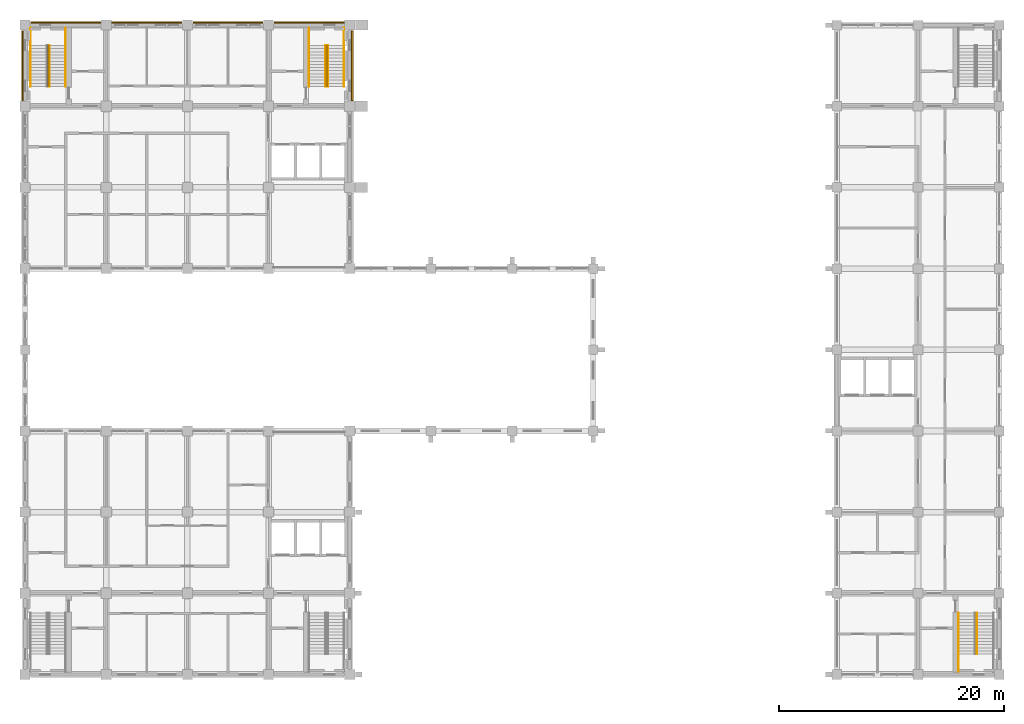
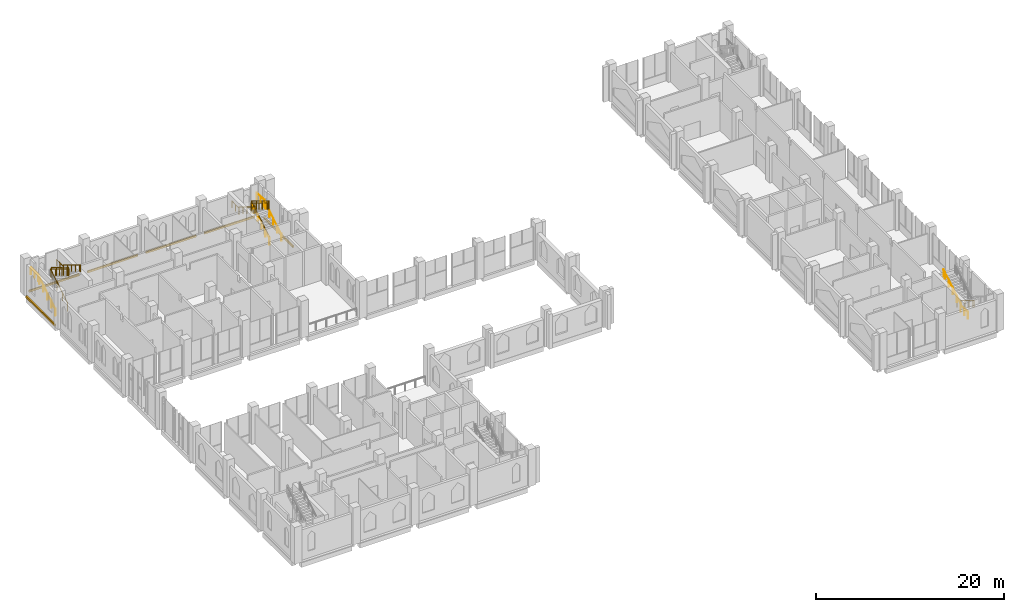
# One storey, part 39 of 40: 11 railings, 6 coverings.
"""IFC4 building model written with IfcOpenShell, lengths in metres."""

from ifc_helpers import new_model, si_unit, direction, frame, origin, origin_2d, place, context, subcontext, project, spatial, rectangle, circle, extrude, material, type_object, element, save


model = new_model("IFC4")

# Units and contexts
model_context = context("Model", 3, precision=1e-05, world=origin(), true_north=direction((0.0, 1.0)))
body_context = subcontext(model_context, "Body", "Model", "MODEL_VIEW")
ifc_project = project(units=[si_unit("LENGTHUNIT", "METRE"), si_unit("AREAUNIT", "SQUARE_METRE"), si_unit("VOLUMEUNIT", "CUBIC_METRE"), si_unit("PLANEANGLEUNIT", "RADIAN"), si_unit("MASSUNIT", "GRAM", prefix="KILO")], contexts=[model_context])

# Site, building, storey
site_placement = place(None, origin())
site = spatial("IfcSite", under=ifc_project, at=site_placement, CompositionType="ELEMENT")
building_placement = place(site_placement, origin())
building = spatial("IfcBuilding", under=site, at=building_placement, Name="Silangan Lancet Faculty of Sciences", CompositionType="ELEMENT")
storey_placement = place(building_placement, frame((0.0, 0.0, 16.800048828125)))
storey = spatial("IfcBuildingStorey", under=building, at=storey_placement, Name="L03", CompositionType="ELEMENT", Elevation=16.800048828125)

# Coverings
ifc_material_1 = material(Name="Concrete C40/50 precast", Category="concrete")
covering_type = type_object("IfcCoveringType", Name="SC1 Precast string course 250 x 150", PredefinedType="CLADDING", material=ifc_material_1)
covering_1_placement = place(storey_placement, frame((29.02490234375, 54.0, -0.25), z_axis=(0.0, 0.0, 1.0), x_axis=(1.0, 0.0, 0.0)))
element("IfcCovering", 1, at=covering_1_placement, inside=storey, type_object=covering_type, Name="SC-L03-E-NT-02", PredefinedType="CLADDING", context=body_context, shape_type="SweptSolid", body=[
    extrude(rectangle(XDim=0.14990234375, YDim=6.199951171875, at=origin_2d()), origin(), (0.0, 0.0, 1.0), 0.25),
])
for number, where, z_axis, x_axis, name in (
    (2, (25.199951171875, 57.824951171875, -0.25), (0.0, 0.0, 1.0), (1.0, 0.0, 0.0), "SC-L03-N-NT-00"),
    (3, (18.0, 57.824951171875, -0.25), (0.0, 0.0, 1.0), (1.0, 0.0, 0.0), "SC-L03-N-NT-01"),
    (4, (10.800048828125, 57.824951171875, -0.25), (0.0, 0.0, 1.0), (1.0, 0.0, 0.0), "SC-L03-N-NT-02"),
    (5, (3.60009765625, 57.824951171875, -0.25), (0.0, 0.0, 1.0), (1.0, 0.0, 0.0), "SC-L03-N-NT-03"),
):
    element("IfcCovering", number, at=place(storey_placement, frame(where, z_axis=z_axis, x_axis=x_axis)), inside=storey, type_object=covering_type, Name=name, PredefinedType="CLADDING", context=body_context, shape_type="SweptSolid", body=[
        extrude(rectangle(XDim=6.199951171875, YDim=0.14990234375, at=origin_2d()), origin(), (0.0, 0.0, 1.0), 0.25),
    ])
covering_2_placement = place(storey_placement, frame((-0.22509765625, 54.0, -0.25), z_axis=(0.0, 0.0, 1.0), x_axis=(1.0, 0.0, 0.0)))
element("IfcCovering", 6, at=covering_2_placement, inside=storey, type_object=covering_type, Name="SC-L03-W-NT-02", PredefinedType="CLADDING", context=body_context, shape_type="SweptSolid", body=[
    extrude(rectangle(XDim=0.14990234375, YDim=6.199951171875, at=origin_2d()), origin(), (0.0, 0.0, 1.0), 0.25),
])

# Railings
ifc_material_2 = material(Name="Steel balustrade", Category="steel")
railing_type_1 = type_object("IfcRailingType", Name="STAIR GUARD 1100", PredefinedType="GUARDRAIL", material=ifc_material_2)
railing_1_placement = place(storey_placement, frame((2.0, 52.14990234375, 0.17138671875)))
element("IfcRailing", 7, at=railing_1_placement, inside=storey, type_object=railing_type_1, Name="GUARD-NT-A-L03", PredefinedType="GUARDRAIL", context=body_context, shape_type="SweptSolid", body=[
    extrude(circle(Radius=0.02392578125, at=origin_2d()), frame((0.0, 0.0, 1.076171875), z_axis=(0.0, 0.852932391421, 0.522021393877), x_axis=(-1.0, 0.0, 0.0)), (0.0, 0.0, 1.0), 1.313232421875),
    extrude(circle(Radius=0.02392578125, at=origin_2d()), frame((0.0, 1.1201171875, 1.76171875), z_axis=(0.0, 0.852716117601, 0.522374600056), x_axis=(-1.0, 0.0, 0.0)), (0.0, 0.0, 1.0), 1.313232421875),
    extrude(circle(Radius=0.02392578125, at=origin_2d()), frame((0.0, 2.239990234375, 2.44775390625), z_axis=(0.0, 0.852932391421, 0.522021393877), x_axis=(-1.0, 0.0, 0.0)), (0.0, 0.0, 1.0), 1.313232421875),
    extrude(circle(Radius=0.02392578125, at=origin_2d()), frame((0.0, 3.360107421875, 3.13330078125), z_axis=(0.0, 0.852932391421, 0.522021393877), x_axis=(-1.0, 0.0, 0.0)), (0.0, 0.0, 1.0), 0.328369140625),
    extrude(circle(Radius=0.02392578125, at=origin_2d()), frame((0.0, 3.64013671875, 3.3046875), z_axis=(1.0, 0.0, 0.0), x_axis=(0.0, 1.0, 0.0)), (0.0, 0.0, 1.0), 0.10009765625),
    extrude(circle(Radius=0.02392578125, at=origin_2d()), frame((0.10009765625, 3.64013671875, 3.3046875), z_axis=(0.0, 0.0, 1.0), x_axis=(1.0, 0.0, 0.0)), (0.0, 0.0, 1.0), 0.17138671875),
    extrude(circle(Radius=0.02392578125, at=origin_2d()), frame((0.10009765625, 3.64013671875, 3.47607421875), z_axis=(0.0, -0.852849614702, 0.52215661894), x_axis=(1.0, 0.0, 0.0)), (0.0, 0.0, 1.0), 1.3134765625),
    extrude(circle(Radius=0.02392578125, at=origin_2d()), frame((0.10009765625, 2.52001953125, 4.16162109375), z_axis=(0.0, -0.852798921012, 0.522239409008), x_axis=(1.0, 0.0, 0.0)), (0.0, 0.0, 1.0), 1.313232421875),
    extrude(circle(Radius=0.02392578125, at=origin_2d()), frame((0.10009765625, 1.400146484375, 4.84765625), z_axis=(0.0, -0.852849614702, 0.52215661894), x_axis=(1.0, 0.0, 0.0)), (0.0, 0.0, 1.0), 1.3134765625),
    extrude(circle(Radius=0.02392578125, at=origin_2d()), frame((0.10009765625, 0.280029296875, 5.533203125), z_axis=(0.0, -0.852932391421, 0.522021393877), x_axis=(1.0, 0.0, 0.0)), (0.0, 0.0, 1.0), 0.328369140625),
    extrude(circle(Radius=0.02392578125, at=origin_2d()), frame((0.10009765625, 0.0, 5.70458984375), z_axis=(-1.0, 0.0, 0.0), x_axis=(0.0, -1.0, 0.0)), (0.0, 0.0, 1.0), 0.10009765625),
    extrude(circle(Radius=0.02099609375, at=origin_2d()), origin(), (0.0, 0.0, 1.0), 1.052001953125),
    extrude(circle(Radius=0.02099609375, at=origin_2d()), frame((0.0, 1.1201171875, 0.685546875)), (0.0, 0.0, 1.0), 1.052001953125),
    extrude(circle(Radius=0.02099609375, at=origin_2d()), frame((0.0, 2.239990234375, 1.37158203125)), (0.0, 0.0, 1.0), 1.052001953125),
    extrude(circle(Radius=0.02099609375, at=origin_2d()), frame((0.0, 3.360107421875, 2.05712890625)), (0.0, 0.0, 1.0), 1.052001953125),
    extrude(circle(Radius=0.02099609375, at=origin_2d()), frame((0.0, 3.64013671875, 2.228515625)), (0.0, 0.0, 1.0), 1.052001953125),
    extrude(circle(Radius=0.02099609375, at=origin_2d()), frame((0.10009765625, 3.64013671875, 2.228515625)), (0.0, 0.0, 1.0), 1.052001953125),
    extrude(circle(Radius=0.02099609375, at=origin_2d()), frame((0.10009765625, 3.64013671875, 2.39990234375)), (0.0, 0.0, 1.0), 1.052001953125),
    extrude(circle(Radius=0.02099609375, at=origin_2d()), frame((0.10009765625, 2.52001953125, 3.085693359375)), (0.0, 0.0, 1.0), 1.052001953125),
    extrude(circle(Radius=0.02099609375, at=origin_2d()), frame((0.10009765625, 1.400146484375, 3.771484375)), (0.0, 0.0, 1.0), 1.052001953125),
    extrude(circle(Radius=0.02099609375, at=origin_2d()), frame((0.10009765625, 0.280029296875, 4.457275390625)), (0.0, 0.0, 1.0), 1.052001953125),
    extrude(circle(Radius=0.02099609375, at=origin_2d()), frame((0.10009765625, 0.0, 4.628662109375)), (0.0, 0.0, 1.0), 1.052001953125),
    extrude(circle(Radius=0.02099609375, at=origin_2d()), frame((0.0, 0.0, 4.628662109375)), (0.0, 0.0, 1.0), 1.052001953125),
])
railing_2_placement = place(storey_placement, frame((26.800048828125, 52.14990234375, 0.17138671875)))
element("IfcRailing", 8, at=railing_2_placement, inside=storey, type_object=railing_type_1, Name="GUARD-NT-B-L03", PredefinedType="GUARDRAIL", context=body_context, shape_type="SweptSolid", body=[
    extrude(circle(Radius=0.02392578125, at=origin_2d()), frame((0.0, 0.0, 1.076171875), z_axis=(0.0, 0.852932391421, 0.522021393877), x_axis=(-1.0, 0.0, 0.0)), (0.0, 0.0, 1.0), 1.313232421875),
    extrude(circle(Radius=0.02392578125, at=origin_2d()), frame((0.0, 1.1201171875, 1.76171875), z_axis=(0.0, 0.852716117601, 0.522374600056), x_axis=(-1.0, 0.0, 0.0)), (0.0, 0.0, 1.0), 1.313232421875),
    extrude(circle(Radius=0.02392578125, at=origin_2d()), frame((0.0, 2.239990234375, 2.44775390625), z_axis=(0.0, 0.852932391421, 0.522021393877), x_axis=(-1.0, 0.0, 0.0)), (0.0, 0.0, 1.0), 1.313232421875),
    extrude(circle(Radius=0.02392578125, at=origin_2d()), frame((0.0, 3.360107421875, 3.13330078125), z_axis=(0.0, 0.852932391421, 0.522021393877), x_axis=(-1.0, 0.0, 0.0)), (0.0, 0.0, 1.0), 0.328369140625),
    extrude(circle(Radius=0.02392578125, at=origin_2d()), frame((0.0, 3.64013671875, 3.3046875), z_axis=(-1.0, 0.0, 0.0), x_axis=(0.0, -1.0, 0.0)), (0.0, 0.0, 1.0), 0.10009765625),
    extrude(circle(Radius=0.02392578125, at=origin_2d()), frame((-0.10009765625, 3.64013671875, 3.3046875), z_axis=(0.0, 0.0, 1.0), x_axis=(1.0, 0.0, 0.0)), (0.0, 0.0, 1.0), 0.17138671875),
    extrude(circle(Radius=0.02392578125, at=origin_2d()), frame((-0.10009765625, 3.64013671875, 3.47607421875), z_axis=(0.0, -0.852849614702, 0.52215661894), x_axis=(1.0, 0.0, 0.0)), (0.0, 0.0, 1.0), 1.3134765625),
    extrude(circle(Radius=0.02392578125, at=origin_2d()), frame((-0.10009765625, 2.52001953125, 4.16162109375), z_axis=(0.0, -0.852798921012, 0.522239409008), x_axis=(1.0, 0.0, 0.0)), (0.0, 0.0, 1.0), 1.313232421875),
    extrude(circle(Radius=0.02392578125, at=origin_2d()), frame((-0.10009765625, 1.400146484375, 4.84765625), z_axis=(0.0, -0.852849614702, 0.52215661894), x_axis=(1.0, 0.0, 0.0)), (0.0, 0.0, 1.0), 1.3134765625),
    extrude(circle(Radius=0.02392578125, at=origin_2d()), frame((-0.10009765625, 0.280029296875, 5.533203125), z_axis=(0.0, -0.852932391421, 0.522021393877), x_axis=(1.0, 0.0, 0.0)), (0.0, 0.0, 1.0), 0.328369140625),
    extrude(circle(Radius=0.02392578125, at=origin_2d()), frame((-0.10009765625, 0.0, 5.70458984375), z_axis=(1.0, 0.0, 0.0), x_axis=(0.0, 1.0, 0.0)), (0.0, 0.0, 1.0), 0.10009765625),
    extrude(circle(Radius=0.02099609375, at=origin_2d()), origin(), (0.0, 0.0, 1.0), 1.052001953125),
    extrude(circle(Radius=0.02099609375, at=origin_2d()), frame((0.0, 1.1201171875, 0.685546875)), (0.0, 0.0, 1.0), 1.052001953125),
    extrude(circle(Radius=0.02099609375, at=origin_2d()), frame((0.0, 2.239990234375, 1.37158203125)), (0.0, 0.0, 1.0), 1.052001953125),
    extrude(circle(Radius=0.02099609375, at=origin_2d()), frame((0.0, 3.360107421875, 2.05712890625)), (0.0, 0.0, 1.0), 1.052001953125),
    extrude(circle(Radius=0.02099609375, at=origin_2d()), frame((0.0, 3.64013671875, 2.228515625)), (0.0, 0.0, 1.0), 1.052001953125),
    extrude(circle(Radius=0.02099609375, at=origin_2d()), frame((-0.10009765625, 3.64013671875, 2.228515625)), (0.0, 0.0, 1.0), 1.052001953125),
    extrude(circle(Radius=0.02099609375, at=origin_2d()), frame((-0.10009765625, 3.64013671875, 2.39990234375)), (0.0, 0.0, 1.0), 1.052001953125),
    extrude(circle(Radius=0.02099609375, at=origin_2d()), frame((-0.10009765625, 2.52001953125, 3.085693359375)), (0.0, 0.0, 1.0), 1.052001953125),
    extrude(circle(Radius=0.02099609375, at=origin_2d()), frame((-0.10009765625, 1.400146484375, 3.771484375)), (0.0, 0.0, 1.0), 1.052001953125),
    extrude(circle(Radius=0.02099609375, at=origin_2d()), frame((-0.10009765625, 0.280029296875, 4.457275390625)), (0.0, 0.0, 1.0), 1.052001953125),
    extrude(circle(Radius=0.02099609375, at=origin_2d()), frame((-0.10009765625, 0.0, 4.628662109375)), (0.0, 0.0, 1.0), 1.052001953125),
    extrude(circle(Radius=0.02099609375, at=origin_2d()), frame((0.0, 0.0, 4.628662109375)), (0.0, 0.0, 1.0), 1.052001953125),
])
ifc_material_3 = material(Name="Stainless steel", Category="steel")
railing_type_2 = type_object("IfcRailingType", Name="STAIR HANDRAIL 865", PredefinedType="HANDRAIL", material=ifc_material_3)
railing_3_placement = place(storey_placement, frame((84.449951171875, 5.449951171875, 0.17138671875)))
element("IfcRailing", 9, at=railing_3_placement, inside=storey, type_object=railing_type_2, Name="HANDRAIL-EB-A-L03-I1", PredefinedType="HANDRAIL", context=body_context, shape_type="SweptSolid", body=[
    extrude(circle(Radius=0.02392578125, at=origin_2d()), frame((0.0, 0.0, 0.8408203125), z_axis=(0.0, -0.85286482292, 0.522131778218), x_axis=(1.0, 0.0, 0.0)), (0.0, 0.0, 1.0), 0.984619140625),
    extrude(circle(Radius=0.02392578125, at=origin_2d()), frame((0.0, -0.83984375, 1.35498046875), z_axis=(0.0, -0.852822021269, 0.522201685212), x_axis=(1.0, 0.0, 0.0)), (0.0, 0.0, 1.0), 0.985107421875),
    extrude(circle(Radius=0.02392578125, at=origin_2d()), frame((0.0, -1.679931640625, 1.86962890625), z_axis=(0.0, -0.852822021269, 0.522201685212), x_axis=(1.0, 0.0, 0.0)), (0.0, 0.0, 1.0), 0.985107421875),
    extrude(circle(Radius=0.02392578125, at=origin_2d()), frame((0.0, -2.52001953125, 2.3837890625), z_axis=(0.0, -0.85286482292, 0.522131778218), x_axis=(1.0, 0.0, 0.0)), (0.0, 0.0, 1.0), 0.984619140625),
    extrude(circle(Radius=0.02392578125, at=origin_2d()), frame((0.0, -3.35986328125, 2.89794921875), z_axis=(0.0, -0.852932391421, 0.522021393877), x_axis=(1.0, 0.0, 0.0)), (0.0, 0.0, 1.0), 0.328369140625),
    extrude(circle(Radius=0.02099609375, at=origin_2d()), origin(), (0.0, 0.0, 1.0), 0.81689453125),
    extrude(circle(Radius=0.02099609375, at=origin_2d()), frame((0.0, -0.83984375, 0.51416015625)), (0.0, 0.0, 1.0), 0.81689453125),
    extrude(circle(Radius=0.02099609375, at=origin_2d()), frame((0.0, -1.679931640625, 1.028564453125)), (0.0, 0.0, 1.0), 0.81689453125),
    extrude(circle(Radius=0.02099609375, at=origin_2d()), frame((0.0, -2.52001953125, 1.54296875)), (0.0, 0.0, 1.0), 0.81689453125),
    extrude(circle(Radius=0.02099609375, at=origin_2d()), frame((0.0, -3.35986328125, 2.05712890625)), (0.0, 0.0, 1.0), 0.81689453125),
    extrude(circle(Radius=0.02099609375, at=origin_2d()), frame((0.0, -3.639892578125, 2.228515625)), (0.0, 0.0, 1.0), 0.81689453125),
])
railing_4_placement = place(storey_placement, frame((82.800048828125, 0.27490234375, 2.39990234375)))
element("IfcRailing", 10, at=railing_4_placement, inside=storey, type_object=railing_type_2, Name="HANDRAIL-EB-A-L03-O2", PredefinedType="HANDRAIL", context=body_context, shape_type="SweptSolid", body=[
    extrude(circle(Radius=0.02392578125, at=origin_2d()), frame((0.0, 0.0, 0.8408203125), z_axis=(0.0, 1.0, 0.0), x_axis=(-1.0, 0.0, 0.0)), (0.0, 0.0, 1.0), 1.53515625),
    extrude(circle(Radius=0.02392578125, at=origin_2d()), frame((0.0, 1.53515625, 0.8408203125), z_axis=(0.0, 0.0, 1.0), x_axis=(1.0, 0.0, 0.0)), (0.0, 0.0, 1.0), 0.17138671875),
    extrude(circle(Radius=0.02392578125, at=origin_2d()), frame((0.0, 1.53515625, 1.01220703125), z_axis=(0.0, 0.852754414843, 0.522312079092), x_axis=(-1.0, 0.0, 0.0)), (0.0, 0.0, 1.0), 0.98486328125),
    extrude(circle(Radius=0.02392578125, at=origin_2d()), frame((0.0, 2.375, 1.52685546875), z_axis=(0.0, 0.852932391421, 0.522021393877), x_axis=(-1.0, 0.0, 0.0)), (0.0, 0.0, 1.0), 0.98486328125),
    extrude(circle(Radius=0.02392578125, at=origin_2d()), frame((0.0, 3.215087890625, 2.041015625), z_axis=(0.0, 0.852822021269, 0.522201685212), x_axis=(-1.0, 0.0, 0.0)), (0.0, 0.0, 1.0), 0.985107421875),
    extrude(circle(Radius=0.02392578125, at=origin_2d()), frame((0.0, 4.05517578125, 2.55517578125), z_axis=(0.0, 0.852754414843, 0.522312079092), x_axis=(-1.0, 0.0, 0.0)), (0.0, 0.0, 1.0), 0.98486328125),
    extrude(circle(Radius=0.02392578125, at=origin_2d()), frame((0.0, 4.89501953125, 3.06982421875), z_axis=(0.0, 0.852932391421, 0.522021393877), x_axis=(-1.0, 0.0, 0.0)), (0.0, 0.0, 1.0), 0.328369140625),
    extrude(circle(Radius=0.02099609375, at=origin_2d()), origin(), (0.0, 0.0, 1.0), 0.81689453125),
    extrude(circle(Radius=0.02099609375, at=origin_2d()), frame((0.0, 0.767578125, 0.0)), (0.0, 0.0, 1.0), 0.81689453125),
    extrude(circle(Radius=0.02099609375, at=origin_2d()), frame((0.0, 1.53515625, 0.0)), (0.0, 0.0, 1.0), 0.81689453125),
    extrude(circle(Radius=0.02099609375, at=origin_2d()), frame((0.0, 1.53515625, 0.17138671875)), (0.0, 0.0, 1.0), 0.81689453125),
    extrude(circle(Radius=0.02099609375, at=origin_2d()), frame((0.0, 2.375, 0.685791015625)), (0.0, 0.0, 1.0), 0.81689453125),
    extrude(circle(Radius=0.02099609375, at=origin_2d()), frame((0.0, 3.215087890625, 1.199951171875)), (0.0, 0.0, 1.0), 0.81689453125),
    extrude(circle(Radius=0.02099609375, at=origin_2d()), frame((0.0, 4.05517578125, 1.71435546875)), (0.0, 0.0, 1.0), 0.81689453125),
    extrude(circle(Radius=0.02099609375, at=origin_2d()), frame((0.0, 4.89501953125, 2.228759765625)), (0.0, 0.0, 1.0), 0.81689453125),
    extrude(circle(Radius=0.02099609375, at=origin_2d()), frame((0.0, 5.175048828125, 2.400146484375)), (0.0, 0.0, 1.0), 0.81689453125),
])
railing_5_placement = place(storey_placement, frame((0.5, 52.14990234375, 0.17138671875)))
element("IfcRailing", 11, at=railing_5_placement, inside=storey, type_object=railing_type_2, Name="HANDRAIL-NT-A-L03-O1", PredefinedType="HANDRAIL", context=body_context, shape_type="SweptSolid", body=[
    extrude(circle(Radius=0.02392578125, at=origin_2d()), frame((0.0, 0.0, 0.8408203125), z_axis=(0.0, 0.852932391421, 0.522021393877), x_axis=(-1.0, 0.0, 0.0)), (0.0, 0.0, 1.0), 0.98486328125),
    extrude(circle(Radius=0.02392578125, at=origin_2d()), frame((0.0, 0.840087890625, 1.35498046875), z_axis=(0.0, 0.852822021269, 0.522201685212), x_axis=(-1.0, 0.0, 0.0)), (0.0, 0.0, 1.0), 0.985107421875),
    extrude(circle(Radius=0.02392578125, at=origin_2d()), frame((0.0, 1.68017578125, 1.86962890625), z_axis=(0.0, 0.852754414843, 0.522312079092), x_axis=(-1.0, 0.0, 0.0)), (0.0, 0.0, 1.0), 0.98486328125),
    extrude(circle(Radius=0.02392578125, at=origin_2d()), frame((0.0, 2.52001953125, 2.3837890625), z_axis=(0.0, 0.852932391421, 0.522021393877), x_axis=(-1.0, 0.0, 0.0)), (0.0, 0.0, 1.0), 0.98486328125),
    extrude(circle(Radius=0.02392578125, at=origin_2d()), frame((0.0, 3.360107421875, 2.89794921875), z_axis=(0.0, 0.852932391421, 0.522021393877), x_axis=(-1.0, 0.0, 0.0)), (0.0, 0.0, 1.0), 0.328369140625),
    extrude(circle(Radius=0.02392578125, at=origin_2d()), frame((0.0, 3.64013671875, 3.0693359375), z_axis=(0.0, 1.0, 0.0), x_axis=(-1.0, 0.0, 0.0)), (0.0, 0.0, 1.0), 1.534912109375),
    extrude(circle(Radius=0.02099609375, at=origin_2d()), origin(), (0.0, 0.0, 1.0), 0.81689453125),
    extrude(circle(Radius=0.02099609375, at=origin_2d()), frame((0.0, 0.840087890625, 0.51416015625)), (0.0, 0.0, 1.0), 0.81689453125),
    extrude(circle(Radius=0.02099609375, at=origin_2d()), frame((0.0, 1.68017578125, 1.028564453125)), (0.0, 0.0, 1.0), 0.81689453125),
    extrude(circle(Radius=0.02099609375, at=origin_2d()), frame((0.0, 2.52001953125, 1.54296875)), (0.0, 0.0, 1.0), 0.81689453125),
    extrude(circle(Radius=0.02099609375, at=origin_2d()), frame((0.0, 3.360107421875, 2.05712890625)), (0.0, 0.0, 1.0), 0.81689453125),
    extrude(circle(Radius=0.02099609375, at=origin_2d()), frame((0.0, 3.64013671875, 2.228515625)), (0.0, 0.0, 1.0), 0.81689453125),
    extrude(circle(Radius=0.02099609375, at=origin_2d()), frame((0.0, 4.40771484375, 2.228515625)), (0.0, 0.0, 1.0), 0.81689453125),
    extrude(circle(Radius=0.02099609375, at=origin_2d()), frame((0.0, 5.175048828125, 2.228515625)), (0.0, 0.0, 1.0), 0.81689453125),
])
railing_6_placement = place(storey_placement, frame((3.60009765625, 57.324951171875, 2.39990234375)))
element("IfcRailing", 12, at=railing_6_placement, inside=storey, type_object=railing_type_2, Name="HANDRAIL-NT-A-L03-O2", PredefinedType="HANDRAIL", context=body_context, shape_type="SweptSolid", body=[
    extrude(circle(Radius=0.02392578125, at=origin_2d()), frame((0.0, 0.0, 0.8408203125), z_axis=(0.0, -1.0, 0.0), x_axis=(1.0, 0.0, 0.0)), (0.0, 0.0, 1.0), 1.534912109375),
    extrude(circle(Radius=0.02392578125, at=origin_2d()), frame((0.0, -1.534912109375, 0.8408203125), z_axis=(0.0, 0.0, 1.0), x_axis=(1.0, 0.0, 0.0)), (0.0, 0.0, 1.0), 0.17138671875),
    extrude(circle(Radius=0.02392578125, at=origin_2d()), frame((0.0, -1.534912109375, 1.01220703125), z_axis=(0.0, -0.852822021269, 0.522201685212), x_axis=(1.0, 0.0, 0.0)), (0.0, 0.0, 1.0), 0.985107421875),
    extrude(circle(Radius=0.02392578125, at=origin_2d()), frame((0.0, -2.375, 1.52685546875), z_axis=(0.0, -0.85286482292, 0.522131778218), x_axis=(1.0, 0.0, 0.0)), (0.0, 0.0, 1.0), 0.984619140625),
    extrude(circle(Radius=0.02392578125, at=origin_2d()), frame((0.0, -3.21484375, 2.041015625), z_axis=(0.0, -0.852822021269, 0.522201685212), x_axis=(1.0, 0.0, 0.0)), (0.0, 0.0, 1.0), 0.985107421875),
    extrude(circle(Radius=0.02392578125, at=origin_2d()), frame((0.0, -4.054931640625, 2.55517578125), z_axis=(0.0, -0.852822021269, 0.522201685212), x_axis=(1.0, 0.0, 0.0)), (0.0, 0.0, 1.0), 0.985107421875),
    extrude(circle(Radius=0.02392578125, at=origin_2d()), frame((0.0, -4.89501953125, 3.06982421875), z_axis=(0.0, -0.852932391421, 0.522021393877), x_axis=(1.0, 0.0, 0.0)), (0.0, 0.0, 1.0), 0.328369140625),
    extrude(circle(Radius=0.02099609375, at=origin_2d()), origin(), (0.0, 0.0, 1.0), 0.81689453125),
    extrude(circle(Radius=0.02099609375, at=origin_2d()), frame((0.0, -0.767578125, 0.0)), (0.0, 0.0, 1.0), 0.81689453125),
    extrude(circle(Radius=0.02099609375, at=origin_2d()), frame((0.0, -1.534912109375, 0.0)), (0.0, 0.0, 1.0), 0.81689453125),
    extrude(circle(Radius=0.02099609375, at=origin_2d()), frame((0.0, -1.534912109375, 0.17138671875)), (0.0, 0.0, 1.0), 0.81689453125),
    extrude(circle(Radius=0.02099609375, at=origin_2d()), frame((0.0, -2.375, 0.685791015625)), (0.0, 0.0, 1.0), 0.81689453125),
    extrude(circle(Radius=0.02099609375, at=origin_2d()), frame((0.0, -3.21484375, 1.199951171875)), (0.0, 0.0, 1.0), 0.81689453125),
    extrude(circle(Radius=0.02099609375, at=origin_2d()), frame((0.0, -4.054931640625, 1.71435546875)), (0.0, 0.0, 1.0), 0.81689453125),
    extrude(circle(Radius=0.02099609375, at=origin_2d()), frame((0.0, -4.89501953125, 2.228759765625)), (0.0, 0.0, 1.0), 0.81689453125),
    extrude(circle(Radius=0.02099609375, at=origin_2d()), frame((0.0, -5.175048828125, 2.400146484375)), (0.0, 0.0, 1.0), 0.81689453125),
])
railing_7_placement = place(storey_placement, frame((2.14990234375, 55.7900390625, 2.5712890625)))
element("IfcRailing", 13, at=railing_7_placement, inside=storey, type_object=railing_type_2, Name="HANDRAIL-NT-A-L03-I2", PredefinedType="HANDRAIL", context=body_context, shape_type="SweptSolid", body=[
    extrude(circle(Radius=0.02392578125, at=origin_2d()), frame((0.0, 0.0, 0.8408203125), z_axis=(0.0, -0.852822021269, 0.522201685212), x_axis=(1.0, 0.0, 0.0)), (0.0, 0.0, 1.0), 0.985107421875),
    extrude(circle(Radius=0.02392578125, at=origin_2d()), frame((0.0, -0.840087890625, 1.35546875), z_axis=(0.0, -0.85286482292, 0.522131778218), x_axis=(1.0, 0.0, 0.0)), (0.0, 0.0, 1.0), 0.984619140625),
    extrude(circle(Radius=0.02392578125, at=origin_2d()), frame((0.0, -1.679931640625, 1.86962890625), z_axis=(0.0, -0.852822021269, 0.522201685212), x_axis=(1.0, 0.0, 0.0)), (0.0, 0.0, 1.0), 0.985107421875),
    extrude(circle(Radius=0.02392578125, at=origin_2d()), frame((0.0, -2.52001953125, 2.3837890625), z_axis=(0.0, -0.852822021269, 0.522201685212), x_axis=(1.0, 0.0, 0.0)), (0.0, 0.0, 1.0), 0.985107421875),
    extrude(circle(Radius=0.02392578125, at=origin_2d()), frame((0.0, -3.360107421875, 2.8984375), z_axis=(0.0, -0.852932391421, 0.522021393877), x_axis=(1.0, 0.0, 0.0)), (0.0, 0.0, 1.0), 0.328369140625),
    extrude(circle(Radius=0.02099609375, at=origin_2d()), origin(), (0.0, 0.0, 1.0), 0.81689453125),
    extrude(circle(Radius=0.02099609375, at=origin_2d()), frame((0.0, -0.840087890625, 0.514404296875)), (0.0, 0.0, 1.0), 0.81689453125),
    extrude(circle(Radius=0.02099609375, at=origin_2d()), frame((0.0, -1.679931640625, 1.028564453125)), (0.0, 0.0, 1.0), 0.81689453125),
    extrude(circle(Radius=0.02099609375, at=origin_2d()), frame((0.0, -2.52001953125, 1.54296875)), (0.0, 0.0, 1.0), 0.81689453125),
    extrude(circle(Radius=0.02099609375, at=origin_2d()), frame((0.0, -3.360107421875, 2.057373046875)), (0.0, 0.0, 1.0), 0.81689453125),
    extrude(circle(Radius=0.02099609375, at=origin_2d()), frame((0.0, -3.64013671875, 2.228759765625)), (0.0, 0.0, 1.0), 0.81689453125),
])
railing_8_placement = place(storey_placement, frame((28.300048828125, 52.14990234375, 0.17138671875)))
element("IfcRailing", 14, at=railing_8_placement, inside=storey, type_object=railing_type_2, Name="HANDRAIL-NT-B-L03-O1", PredefinedType="HANDRAIL", context=body_context, shape_type="SweptSolid", body=[
    extrude(circle(Radius=0.02392578125, at=origin_2d()), frame((0.0, 0.0, 0.8408203125), z_axis=(0.0, 0.852932391421, 0.522021393877), x_axis=(-1.0, 0.0, 0.0)), (0.0, 0.0, 1.0), 0.98486328125),
    extrude(circle(Radius=0.02392578125, at=origin_2d()), frame((0.0, 0.840087890625, 1.35498046875), z_axis=(0.0, 0.852822021269, 0.522201685212), x_axis=(-1.0, 0.0, 0.0)), (0.0, 0.0, 1.0), 0.985107421875),
    extrude(circle(Radius=0.02392578125, at=origin_2d()), frame((0.0, 1.68017578125, 1.86962890625), z_axis=(0.0, 0.852754414843, 0.522312079092), x_axis=(-1.0, 0.0, 0.0)), (0.0, 0.0, 1.0), 0.98486328125),
    extrude(circle(Radius=0.02392578125, at=origin_2d()), frame((0.0, 2.52001953125, 2.3837890625), z_axis=(0.0, 0.852932391421, 0.522021393877), x_axis=(-1.0, 0.0, 0.0)), (0.0, 0.0, 1.0), 0.98486328125),
    extrude(circle(Radius=0.02392578125, at=origin_2d()), frame((0.0, 3.360107421875, 2.89794921875), z_axis=(0.0, 0.852932391421, 0.522021393877), x_axis=(-1.0, 0.0, 0.0)), (0.0, 0.0, 1.0), 0.328369140625),
    extrude(circle(Radius=0.02392578125, at=origin_2d()), frame((0.0, 3.64013671875, 3.0693359375), z_axis=(0.0, 1.0, 0.0), x_axis=(-1.0, 0.0, 0.0)), (0.0, 0.0, 1.0), 1.534912109375),
    extrude(circle(Radius=0.02099609375, at=origin_2d()), origin(), (0.0, 0.0, 1.0), 0.81689453125),
    extrude(circle(Radius=0.02099609375, at=origin_2d()), frame((0.0, 0.840087890625, 0.51416015625)), (0.0, 0.0, 1.0), 0.81689453125),
    extrude(circle(Radius=0.02099609375, at=origin_2d()), frame((0.0, 1.68017578125, 1.028564453125)), (0.0, 0.0, 1.0), 0.81689453125),
    extrude(circle(Radius=0.02099609375, at=origin_2d()), frame((0.0, 2.52001953125, 1.54296875)), (0.0, 0.0, 1.0), 0.81689453125),
    extrude(circle(Radius=0.02099609375, at=origin_2d()), frame((0.0, 3.360107421875, 2.05712890625)), (0.0, 0.0, 1.0), 0.81689453125),
    extrude(circle(Radius=0.02099609375, at=origin_2d()), frame((0.0, 3.64013671875, 2.228515625)), (0.0, 0.0, 1.0), 0.81689453125),
    extrude(circle(Radius=0.02099609375, at=origin_2d()), frame((0.0, 4.40771484375, 2.228515625)), (0.0, 0.0, 1.0), 0.81689453125),
    extrude(circle(Radius=0.02099609375, at=origin_2d()), frame((0.0, 5.175048828125, 2.228515625)), (0.0, 0.0, 1.0), 0.81689453125),
])
railing_9_placement = place(storey_placement, frame((26.85009765625, 52.14990234375, 0.17138671875)))
element("IfcRailing", 15, at=railing_9_placement, inside=storey, type_object=railing_type_2, Name="HANDRAIL-NT-B-L03-I1", PredefinedType="HANDRAIL", context=body_context, shape_type="SweptSolid", body=[
    extrude(circle(Radius=0.02392578125, at=origin_2d()), frame((0.0, 0.0, 0.8408203125), z_axis=(0.0, 0.852932391421, 0.522021393877), x_axis=(-1.0, 0.0, 0.0)), (0.0, 0.0, 1.0), 0.98486328125),
    extrude(circle(Radius=0.02392578125, at=origin_2d()), frame((0.0, 0.840087890625, 1.35498046875), z_axis=(0.0, 0.852822021269, 0.522201685212), x_axis=(-1.0, 0.0, 0.0)), (0.0, 0.0, 1.0), 0.985107421875),
    extrude(circle(Radius=0.02392578125, at=origin_2d()), frame((0.0, 1.68017578125, 1.86962890625), z_axis=(0.0, 0.852754414843, 0.522312079092), x_axis=(-1.0, 0.0, 0.0)), (0.0, 0.0, 1.0), 0.98486328125),
    extrude(circle(Radius=0.02392578125, at=origin_2d()), frame((0.0, 2.52001953125, 2.3837890625), z_axis=(0.0, 0.852932391421, 0.522021393877), x_axis=(-1.0, 0.0, 0.0)), (0.0, 0.0, 1.0), 0.98486328125),
    extrude(circle(Radius=0.02392578125, at=origin_2d()), frame((0.0, 3.360107421875, 2.89794921875), z_axis=(0.0, 0.852932391421, 0.522021393877), x_axis=(-1.0, 0.0, 0.0)), (0.0, 0.0, 1.0), 0.328369140625),
    extrude(circle(Radius=0.02099609375, at=origin_2d()), origin(), (0.0, 0.0, 1.0), 0.81689453125),
    extrude(circle(Radius=0.02099609375, at=origin_2d()), frame((0.0, 0.840087890625, 0.51416015625)), (0.0, 0.0, 1.0), 0.81689453125),
    extrude(circle(Radius=0.02099609375, at=origin_2d()), frame((0.0, 1.68017578125, 1.028564453125)), (0.0, 0.0, 1.0), 0.81689453125),
    extrude(circle(Radius=0.02099609375, at=origin_2d()), frame((0.0, 2.52001953125, 1.54296875)), (0.0, 0.0, 1.0), 0.81689453125),
    extrude(circle(Radius=0.02099609375, at=origin_2d()), frame((0.0, 3.360107421875, 2.05712890625)), (0.0, 0.0, 1.0), 0.81689453125),
    extrude(circle(Radius=0.02099609375, at=origin_2d()), frame((0.0, 3.64013671875, 2.228515625)), (0.0, 0.0, 1.0), 0.81689453125),
])
railing_10_placement = place(storey_placement, frame((25.199951171875, 57.324951171875, 2.39990234375)))
element("IfcRailing", 16, at=railing_10_placement, inside=storey, type_object=railing_type_2, Name="HANDRAIL-NT-B-L03-O2", PredefinedType="HANDRAIL", context=body_context, shape_type="SweptSolid", body=[
    extrude(circle(Radius=0.02392578125, at=origin_2d()), frame((0.0, 0.0, 0.8408203125), z_axis=(0.0, -1.0, 0.0), x_axis=(1.0, 0.0, 0.0)), (0.0, 0.0, 1.0), 1.534912109375),
    extrude(circle(Radius=0.02392578125, at=origin_2d()), frame((0.0, -1.534912109375, 0.8408203125), z_axis=(0.0, 0.0, 1.0), x_axis=(1.0, 0.0, 0.0)), (0.0, 0.0, 1.0), 0.17138671875),
    extrude(circle(Radius=0.02392578125, at=origin_2d()), frame((0.0, -1.534912109375, 1.01220703125), z_axis=(0.0, -0.852822021269, 0.522201685212), x_axis=(1.0, 0.0, 0.0)), (0.0, 0.0, 1.0), 0.985107421875),
    extrude(circle(Radius=0.02392578125, at=origin_2d()), frame((0.0, -2.375, 1.52685546875), z_axis=(0.0, -0.85286482292, 0.522131778218), x_axis=(1.0, 0.0, 0.0)), (0.0, 0.0, 1.0), 0.984619140625),
    extrude(circle(Radius=0.02392578125, at=origin_2d()), frame((0.0, -3.21484375, 2.041015625), z_axis=(0.0, -0.852822021269, 0.522201685212), x_axis=(1.0, 0.0, 0.0)), (0.0, 0.0, 1.0), 0.985107421875),
    extrude(circle(Radius=0.02392578125, at=origin_2d()), frame((0.0, -4.054931640625, 2.55517578125), z_axis=(0.0, -0.852822021269, 0.522201685212), x_axis=(1.0, 0.0, 0.0)), (0.0, 0.0, 1.0), 0.985107421875),
    extrude(circle(Radius=0.02392578125, at=origin_2d()), frame((0.0, -4.89501953125, 3.06982421875), z_axis=(0.0, -0.852932391421, 0.522021393877), x_axis=(1.0, 0.0, 0.0)), (0.0, 0.0, 1.0), 0.328369140625),
    extrude(circle(Radius=0.02099609375, at=origin_2d()), origin(), (0.0, 0.0, 1.0), 0.81689453125),
    extrude(circle(Radius=0.02099609375, at=origin_2d()), frame((0.0, -0.767578125, 0.0)), (0.0, 0.0, 1.0), 0.81689453125),
    extrude(circle(Radius=0.02099609375, at=origin_2d()), frame((0.0, -1.534912109375, 0.0)), (0.0, 0.0, 1.0), 0.81689453125),
    extrude(circle(Radius=0.02099609375, at=origin_2d()), frame((0.0, -1.534912109375, 0.17138671875)), (0.0, 0.0, 1.0), 0.81689453125),
    extrude(circle(Radius=0.02099609375, at=origin_2d()), frame((0.0, -2.375, 0.685791015625)), (0.0, 0.0, 1.0), 0.81689453125),
    extrude(circle(Radius=0.02099609375, at=origin_2d()), frame((0.0, -3.21484375, 1.199951171875)), (0.0, 0.0, 1.0), 0.81689453125),
    extrude(circle(Radius=0.02099609375, at=origin_2d()), frame((0.0, -4.054931640625, 1.71435546875)), (0.0, 0.0, 1.0), 0.81689453125),
    extrude(circle(Radius=0.02099609375, at=origin_2d()), frame((0.0, -4.89501953125, 2.228759765625)), (0.0, 0.0, 1.0), 0.81689453125),
    extrude(circle(Radius=0.02099609375, at=origin_2d()), frame((0.0, -5.175048828125, 2.400146484375)), (0.0, 0.0, 1.0), 0.81689453125),
])
railing_11_placement = place(storey_placement, frame((26.64990234375, 55.7900390625, 2.5712890625)))
element("IfcRailing", 17, at=railing_11_placement, inside=storey, type_object=railing_type_2, Name="HANDRAIL-NT-B-L03-I2", PredefinedType="HANDRAIL", context=body_context, shape_type="SweptSolid", body=[
    extrude(circle(Radius=0.02392578125, at=origin_2d()), frame((0.0, 0.0, 0.8408203125), z_axis=(0.0, -0.852822021269, 0.522201685212), x_axis=(1.0, 0.0, 0.0)), (0.0, 0.0, 1.0), 0.985107421875),
    extrude(circle(Radius=0.02392578125, at=origin_2d()), frame((0.0, -0.840087890625, 1.35546875), z_axis=(0.0, -0.85286482292, 0.522131778218), x_axis=(1.0, 0.0, 0.0)), (0.0, 0.0, 1.0), 0.984619140625),
    extrude(circle(Radius=0.02392578125, at=origin_2d()), frame((0.0, -1.679931640625, 1.86962890625), z_axis=(0.0, -0.852822021269, 0.522201685212), x_axis=(1.0, 0.0, 0.0)), (0.0, 0.0, 1.0), 0.985107421875),
    extrude(circle(Radius=0.02392578125, at=origin_2d()), frame((0.0, -2.52001953125, 2.3837890625), z_axis=(0.0, -0.852822021269, 0.522201685212), x_axis=(1.0, 0.0, 0.0)), (0.0, 0.0, 1.0), 0.985107421875),
    extrude(circle(Radius=0.02392578125, at=origin_2d()), frame((0.0, -3.360107421875, 2.8984375), z_axis=(0.0, -0.852932391421, 0.522021393877), x_axis=(1.0, 0.0, 0.0)), (0.0, 0.0, 1.0), 0.328369140625),
    extrude(circle(Radius=0.02099609375, at=origin_2d()), origin(), (0.0, 0.0, 1.0), 0.81689453125),
    extrude(circle(Radius=0.02099609375, at=origin_2d()), frame((0.0, -0.840087890625, 0.514404296875)), (0.0, 0.0, 1.0), 0.81689453125),
    extrude(circle(Radius=0.02099609375, at=origin_2d()), frame((0.0, -1.679931640625, 1.028564453125)), (0.0, 0.0, 1.0), 0.81689453125),
    extrude(circle(Radius=0.02099609375, at=origin_2d()), frame((0.0, -2.52001953125, 1.54296875)), (0.0, 0.0, 1.0), 0.81689453125),
    extrude(circle(Radius=0.02099609375, at=origin_2d()), frame((0.0, -3.360107421875, 2.057373046875)), (0.0, 0.0, 1.0), 0.81689453125),
    extrude(circle(Radius=0.02099609375, at=origin_2d()), frame((0.0, -3.64013671875, 2.228759765625)), (0.0, 0.0, 1.0), 0.81689453125),
])

save(model, "model.ifc")
